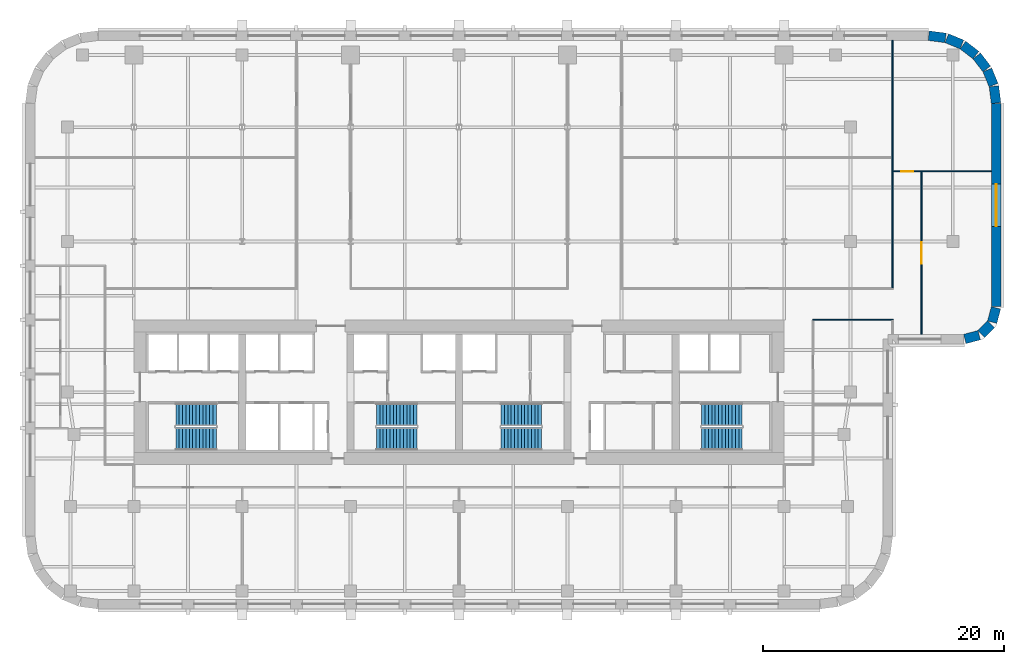
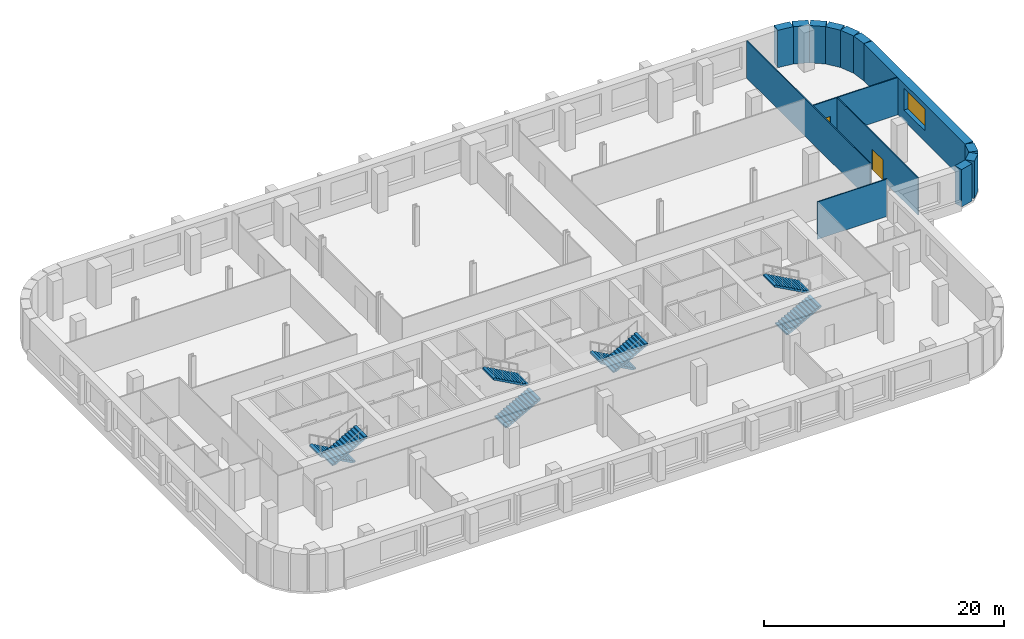
# One storey, part 7 of 9: 14 walls, 8 stair flights, 2 doors, 1 window, 3 openings, 4 elements without a shape of their own.
"""IFC4 building model written with IfcOpenShell, lengths in metres."""

import ifcopenshell
import ifcopenshell.guid

model = None  # the IFC model being written
_history = None  # IfcOwnerHistory: only IFC2X3 demands one
_inside = {}  # id of a spatial element -> (the spatial element, [elements in it])
_under = {}  # id of a project, library or spatial element -> (it, [spatial elements below it])
_declared = {}  # id of a project -> (the project, [libraries it declares])
_typed = {}  # id of a type object -> (the type object, [elements of that type])
_made_of = {}  # id of a material, layer set ... -> (it, [elements and type objects made of it])


def new_model(schema):
    """Start an empty IFC model of exactly this schema.

    Asked for "IFC4X3", IfcOpenShell would pick the latest addendum, in which some entities
    have other attributes; the version numbers below select the first issue.
    IFC2X3 requires an IfcOwnerHistory on every rooted entity: one is made here for all.
    """
    global model, _history
    if schema == "IFC4X3":
        model = ifcopenshell.file(schema_version=(4, 3, 0, 0))
    else:
        model = ifcopenshell.file(schema=schema)
    _inside.clear()
    _under.clear()
    _declared.clear()
    _typed.clear()
    _made_of.clear()
    _history = None
    if model.schema == "IFC2X3":
        org = make("IfcOrganization", Name="unknown")
        user = make(
            "IfcPersonAndOrganization",
            ThePerson=make("IfcPerson", FamilyName="unknown"),
            TheOrganization=org,
        )
        app = make(
            "IfcApplication",
            ApplicationDeveloper=org,
            Version="unknown",
            ApplicationFullName="unknown",
            ApplicationIdentifier="unknown",
        )
        _history = make(
            "IfcOwnerHistory",
            OwningUser=user,
            OwningApplication=app,
            ChangeAction="ADDED",
            CreationDate=0,
        )
    return model


def make(cls, **values):
    """One entity of the class cls with the attributes given. An attribute that is None is left unset."""
    return model.create_entity(
        cls, **{name: value for name, value in values.items() if value is not None}
    )


def rooted(cls, **values):
    """An entity with a GlobalId (a new one), such as an element, a storey or a relation."""
    return make(cls, GlobalId=ifcopenshell.guid.new(), OwnerHistory=_history, **values)


def si_unit(unit_type, name, prefix=None):
    """IfcSIUnit, for example si_unit("LENGTHUNIT", "METRE", prefix="MILLI")."""
    return make("IfcSIUnit", UnitType=unit_type, Prefix=prefix, Name=name)


def assignment(units):
    """IfcUnitAssignment: the units of a project."""
    return None if units is None else make("IfcUnitAssignment", Units=units)


def point(xyz):
    """IfcCartesianPoint."""
    return None if xyz is None else make("IfcCartesianPoint", Coordinates=xyz)


def direction(xyz):
    """IfcDirection."""
    return None if xyz is None else make("IfcDirection", DirectionRatios=xyz)


def frame(location, z_axis=None, x_axis=None):
    """IfcAxis2Placement3D, a coordinate frame: its origin and axes. An axis left out is left unset."""
    return make(
        "IfcAxis2Placement3D",
        Location=point(location),
        Axis=direction(z_axis),
        RefDirection=direction(x_axis),
    )


def frame_2d(location, x_axis=None):
    """IfcAxis2Placement2D, a coordinate frame in the plane: its origin and x axis."""
    return make(
        "IfcAxis2Placement2D", Location=point(location), RefDirection=direction(x_axis)
    )


def origin():
    """The frame at (0, 0, 0) with its axes left unset."""
    return frame((0.0, 0.0, 0.0))


def place(relative_to, where):
    """IfcLocalPlacement: puts the frame where relative to a parent placement (None: the world)."""
    return make(
        "IfcLocalPlacement", PlacementRelTo=relative_to, RelativePlacement=where
    )


def context(
    kind, dimensions, precision=None, world=None, true_north=None, identifier=None
):
    """IfcGeometricRepresentationContext, for example the 3D "Model" context."""
    return make(
        "IfcGeometricRepresentationContext",
        ContextIdentifier=identifier,
        ContextType=kind,
        CoordinateSpaceDimension=dimensions,
        Precision=precision,
        WorldCoordinateSystem=world,
        TrueNorth=true_north,
    )


def subcontext(parent, identifier, kind, view, scale=None):
    """IfcGeometricRepresentationSubContext, for example "Body" below "Model"."""
    return make(
        "IfcGeometricRepresentationSubContext",
        ContextIdentifier=identifier,
        ContextType=kind,
        ParentContext=parent,
        TargetScale=scale,
        TargetView=view,
    )


def project(units=None, contexts=None):
    """IfcProject with its units and contexts."""
    return rooted(
        "IfcProject",
        Name="project",
        RepresentationContexts=contexts,
        UnitsInContext=assignment(units),
    )


def spatial(cls, under=None, at=None, **own):
    """A site, building, storey or space (cls), placed at a placement, below another one or the project."""
    s = rooted(cls, ObjectPlacement=at, **own)
    if under is not None:
        _under.setdefault(under.id(), (under, []))[1].append(s)
    return s


def polyline(points):
    """IfcPolyline through the points."""
    return make("IfcPolyline", Points=[point(p) for p in points])


def profile(cls, at=None, kind="AREA", **sizes):
    """A parametric profile (cls). Its sizes go by their IFC names, for example OverallWidth=200.0."""
    return make(cls, ProfileType=kind, Position=at, **sizes)


def rectangle(**sizes):
    """IfcRectangleProfileDef."""
    return profile("IfcRectangleProfileDef", **sizes)


def outline(outer, holes=None, kind="AREA"):
    """IfcArbitraryClosedProfileDef: a profile drawn as a closed curve; with holes, ...WithVoids."""
    if holes is None:
        return make("IfcArbitraryClosedProfileDef", ProfileType=kind, OuterCurve=outer)
    return make(
        "IfcArbitraryProfileDefWithVoids",
        ProfileType=kind,
        OuterCurve=outer,
        InnerCurves=holes,
    )


def extrude(swept, where, along, depth):
    """IfcExtrudedAreaSolid: the profile swept, set in the frame where, extruded along a direction by depth."""
    return make(
        "IfcExtrudedAreaSolid",
        SweptArea=swept,
        Position=where,
        ExtrudedDirection=direction(along),
        Depth=depth,
    )


def shape(context_of_items, identifier, shape_type, items):
    """IfcShapeRepresentation: the items that make up one representation, for example the "Body"."""
    return make(
        "IfcShapeRepresentation",
        ContextOfItems=context_of_items,
        RepresentationIdentifier=identifier,
        RepresentationType=shape_type,
        Items=items,
    )


def material(Name=None, Category=None):
    """IfcMaterial."""
    return make("IfcMaterial", Name=Name, Category=Category)


def layer(
    of_material, thickness, ventilated=None, Name=None, Category=None, Priority=None
):
    """IfcMaterialLayer: one layer of a wall or slab, of a material (None: an air gap)."""
    return make(
        "IfcMaterialLayer",
        Material=of_material,
        LayerThickness=thickness,
        IsVentilated=ventilated,
        Name=Name,
        Category=Category,
        Priority=Priority,
    )


def layer_set(layers, Name=None):
    """IfcMaterialLayerSet."""
    return make("IfcMaterialLayerSet", MaterialLayers=layers, LayerSetName=Name)


def made_of(thing, what):
    """Note that an element or type object is made of a material, layer set ...; save() writes the relation."""
    if what is not None:
        _made_of.setdefault(what.id(), (what, []))[1].append(thing)
    return thing


def type_object(cls, material=None, **own):
    """A type object (cls), such as IfcWallType, which elements share."""
    return made_of(rooted(cls, **own), material)


def element(
    cls,
    number,
    at=None,
    inside=None,
    cuts=None,
    type_object=None,
    material=None,
    context=None,
    identifier="Body",
    shape_type=None,
    held_by="IfcProductDefinitionShape",
    body=None,
    shapes=None,
    **own,
):
    """One element of the class cls, such as IfcWall. Its Tag is "e" and its number.

    at: its placement. inside: the storey or other place that contains it. cuts: it is an
    opening in that element (IfcRelVoidsElement). A single representation is given by context,
    identifier, shape_type and body (its items); several are given by shapes. held_by: the class
    of the entity that holds the representations. save() writes the other relations.
    """
    e = rooted(cls, Tag="e%d" % number, ObjectPlacement=at, **own)
    if body is not None:
        shapes = [shape(context, identifier, shape_type, body)]
    if shapes is not None:
        e.Representation = make(held_by, Representations=shapes)
    if inside is not None:
        _inside.setdefault(inside.id(), (inside, []))[1].append(e)
    if cuts is not None:
        rooted(
            "IfcRelVoidsElement", RelatingBuildingElement=cuts, RelatedOpeningElement=e
        )
    if type_object is not None:
        _typed.setdefault(type_object.id(), (type_object, []))[1].append(e)
    return made_of(e, material)


def fill(opening, filler):
    """IfcRelFillsElement: the door or window that sits in an opening."""
    return rooted(
        "IfcRelFillsElement",
        RelatingOpeningElement=opening,
        RelatedBuildingElement=filler,
    )


def aggregate(whole, parts):
    """IfcRelAggregates: a whole, such as a stair, and the parts it consists of."""
    return rooted("IfcRelAggregates", RelatingObject=whole, RelatedObjects=parts)


def save(model, path):
    """Write the relations noted so far, then the file.

    IfcRelAggregates (storeys below a building ...), IfcRelContainedInSpatialStructure (elements
    in a storey), IfcRelDefinesByType, IfcRelAssociatesMaterial and IfcRelDeclares: one each for
    every whole, place, type object, material and project.
    """
    for whole, parts in _under.values():
        aggregate(whole, parts)
    for where, things in _inside.values():
        rooted(
            "IfcRelContainedInSpatialStructure",
            RelatedElements=things,
            RelatingStructure=where,
        )
    for kind, things in _typed.values():
        rooted("IfcRelDefinesByType", RelatedObjects=things, RelatingType=kind)
    for what, things in _made_of.values():
        rooted("IfcRelAssociatesMaterial", RelatedObjects=things, RelatingMaterial=what)
    for by, libraries in _declared.values():
        rooted("IfcRelDeclares", RelatingContext=by, RelatedDefinitions=libraries)
    model.write(path)


model = new_model("IFC4")

# Units and contexts
model_context = context("Model", 3, precision=1e-05, world=origin(), true_north=direction((0.0, 1.0)))
body_context = subcontext(model_context, "Body", "Model", "MODEL_VIEW")
ifc_project = project(units=[si_unit("LENGTHUNIT", "METRE"), si_unit("AREAUNIT", "SQUARE_METRE"), si_unit("VOLUMEUNIT", "CUBIC_METRE"), si_unit("PLANEANGLEUNIT", "RADIAN"), si_unit("MASSUNIT", "GRAM", prefix="KILO")], contexts=[model_context])

# Site, building, storey
site_placement = place(None, origin())
site = spatial("IfcSite", under=ifc_project, at=site_placement, CompositionType="ELEMENT")
building_placement = place(site_placement, origin())
building = spatial("IfcBuilding", under=site, at=building_placement, Name="Zellij Exchange Tower", CompositionType="ELEMENT")
storey_placement = place(building_placement, frame((0.0, 0.0, 112.5)))
storey = spatial("IfcBuildingStorey", under=building, at=storey_placement, Name="L24", CompositionType="ELEMENT", Elevation=112.5)

# Walls
ifc_material_1 = material(Name="Precast concrete C40/50", Category="concrete")
ifc_layer_1 = layer(ifc_material_1, 0.800048828125)
ifc_layer_set_1 = layer_set([ifc_layer_1], Name="Precast concrete C40/50")
wall_type_1 = type_object("IfcWallType", Name="ENV-EW1 Precast stone-piered wall 800", PredefinedType="SOLIDWALL", material=ifc_layer_set_1)
wall_1_placement = place(storey_placement, frame((41.998291015625, -3.58642578125, 0.0), z_axis=(0.0, 0.0, 1.0), x_axis=(0.965892366842, 0.258943885187, 0.0)))
element("IfcWall", 1, at=wall_1_placement, inside=storey, type_object=wall_type_1, Name="fac.L24.09", PredefinedType="SOLIDWALL", context=body_context, shape_type="SweptSolid", body=[
    extrude(rectangle(XDim=1.233154296875, YDim=0.800048828125, at=frame_2d((0.61669921875, 0.0))), origin(), (0.0, 0.0, 1.0), 3.800048828125),
])
wall_2_placement = place(storey_placement, frame((43.36865234375, -3.163818359375, 0.0), z_axis=(0.0, 0.0, 1.0), x_axis=(0.707106781187, 0.707106781187, 0.0)))
element("IfcWall", 2, at=wall_2_placement, inside=storey, type_object=wall_type_1, Name="fac.L24.10", PredefinedType="SOLIDWALL", context=body_context, shape_type="SweptSolid", body=[
    extrude(rectangle(XDim=1.12451171875, YDim=0.800048828125, at=frame_2d((0.562255859375, 0.0))), origin(), (0.0, 0.0, 1.0), 3.800048828125),
])
wall_3_placement = place(storey_placement, frame((44.26708984375, -2.189453125, 0.0), z_axis=(0.0, 0.0, 1.0), x_axis=(0.258943885187, 0.965892366842, 0.0)))
element("IfcWall", 3, at=wall_3_placement, inside=storey, type_object=wall_type_1, Name="fac.L24.11", PredefinedType="SOLIDWALL", context=body_context, shape_type="SweptSolid", body=[
    extrude(rectangle(XDim=1.233154296875, YDim=0.800048828125, at=frame_2d((0.61669921875, 0.0))), origin(), (0.0, 0.0, 1.0), 3.800048828125),
])

# Wall, opening, window
wall_4_placement = place(storey_placement, frame((44.60009765625, -0.89453125, 0.0), z_axis=(0.0, 0.0, 1.0), x_axis=(0.0, 1.0, 0.0)))
wall_4 = element("IfcWall", 4, at=wall_4_placement, inside=storey, type_object=wall_type_1, Name="fac.L24.12", PredefinedType="SOLIDWALL", context=body_context, shape_type="SweptSolid", body=[
    extrude(rectangle(XDim=16.842041015625, YDim=0.800048828125, at=frame_2d((8.4208984375, 0.0))), origin(), (0.0, 0.0, 1.0), 3.800048828125),
])
opening_1_placement = place(wall_4_placement, frame((6.657958984375, 0.0, 1.10009765625)))
opening_1 = element("IfcOpeningElement", 5, at=opening_1_placement, cuts=wall_4, Name="Opening FZ2.16", PredefinedType="OPENING", context=body_context, shape_type="SweptSolid", body=[
    extrude(rectangle(XDim=3.5, YDim=2.199951171875, at=frame_2d((1.75, 1.10009765625))), frame((0.0, 0.412109375, 0.0), z_axis=(0.0, -1.0, 0.0), x_axis=(1.0, 0.0, 0.0)), (0.0, 0.0, 1.0), 0.823974609375),
])
ifc_material_2 = material(Name="Aluminium frame with insulating glass", Category="aluminium")
window_type = type_object("IfcWindowType", Name="ENV-W7 Window 3500x2200", PartitioningType="SINGLE_PANEL", PredefinedType="WINDOW", material=ifc_material_2)
window_placement = place(opening_1_placement, origin())
window = element("IfcWindow", 6, at=window_placement, inside=storey, type_object=window_type, Name="Window FZ2.16", OverallHeight=2.199951171875, OverallWidth=3.5, PartitioningType="SINGLE_PANEL", PredefinedType="WINDOW", context=body_context, shape_type="SweptSolid", body=[
    extrude(rectangle(XDim=3.5, YDim=2.199951171875, at=frame_2d((1.75, 1.10009765625))), frame((0.0, 0.030029296875, 0.0), z_axis=(0.0, -1.0, 0.0), x_axis=(1.0, 0.0, 0.0)), (0.0, 0.0, 1.0), 0.06005859375),
])
fill(opening_1, window)

# Walls
wall_5_placement = place(storey_placement, frame((44.5966796875, 15.999755859375, 0.0), z_axis=(0.0, 0.0, 1.0), x_axis=(-0.130517283865, 0.99144603414, 0.0)))
element("IfcWall", 7, at=wall_5_placement, inside=storey, type_object=wall_type_1, Name="fac.L24.13", PredefinedType="SOLIDWALL", context=body_context, shape_type="SweptSolid", body=[
    extrude(rectangle(XDim=1.408447265625, YDim=0.800048828125, at=frame_2d((0.7041015625, 0.0))), origin(), (0.0, 0.0, 1.0), 3.800048828125),
])
wall_6_placement = place(storey_placement, frame((44.3857421875, 17.497314453125, 0.0), z_axis=(0.0, 0.0, 1.0), x_axis=(-0.38276009378, 0.923847774587, 0.0)))
element("IfcWall", 8, at=wall_6_placement, inside=storey, type_object=wall_type_1, Name="fac.L24.14", PredefinedType="SOLIDWALL", context=body_context, shape_type="SweptSolid", body=[
    extrude(rectangle(XDim=1.35546875, YDim=0.800048828125, at=frame_2d((0.677734375, 0.0))), origin(), (0.0, 0.0, 1.0), 3.800048828125),
])
for number, where, z_axis, x_axis, name in (
    (9, (43.814697265625, 18.840087890625, 0.0), (0.0, 0.0, 1.0), (-0.608866226366, 0.793272915452, 0.0), "fac.L24.15"),
    (10, (42.91552734375, 19.9892578125, 0.0), (0.0, 0.0, 1.0), (-0.793272915452, 0.608866226366, 0.0), "fac.L24.16"),
):
    element("IfcWall", number, at=place(storey_placement, frame(where, z_axis=z_axis, x_axis=x_axis)), inside=storey, type_object=wall_type_1, Name=name, PredefinedType="SOLIDWALL", context=body_context, shape_type="SweptSolid", body=[
        extrude(rectangle(XDim=1.355712890625, YDim=0.800048828125, at=frame_2d((0.677734375, 0.0))), origin(), (0.0, 0.0, 1.0), 3.800048828125),
    ])
wall_7_placement = place(storey_placement, frame((41.74951171875, 20.866943359375, 0.0), z_axis=(0.0, 0.0, 1.0), x_axis=(-0.923847774587, 0.38276009378, 0.0)))
element("IfcWall", 11, at=wall_7_placement, inside=storey, type_object=wall_type_1, Name="fac.L24.17", PredefinedType="SOLIDWALL", context=body_context, shape_type="SweptSolid", body=[
    extrude(rectangle(XDim=1.35546875, YDim=0.800048828125, at=frame_2d((0.677734375, 0.0))), origin(), (0.0, 0.0, 1.0), 3.800048828125),
])
wall_8_placement = place(storey_placement, frame((40.396240234375, 21.412841796875, 0.0), z_axis=(0.0, 0.0, 1.0), x_axis=(-0.99144603414, 0.130517283865, 0.0)))
element("IfcWall", 12, at=wall_8_placement, inside=storey, type_object=wall_type_1, Name="fac.L24.18", PredefinedType="SOLIDWALL", context=body_context, shape_type="SweptSolid", body=[
    extrude(rectangle(XDim=1.408447265625, YDim=0.800048828125, at=frame_2d((0.7041015625, 0.0))), origin(), (0.0, 0.0, 1.0), 3.800048828125),
])

# Wall, opening, door
ifc_material_3 = material(Name="Gypsum board partition on steel studs", Category="steel")
ifc_layer_2 = layer(ifc_material_3, 0.10009765625)
ifc_layer_set_2 = layer_set([ifc_layer_2], Name="Gypsum board partition on steel studs")
wall_type_2 = type_object("IfcWallType", Name="FIT-PARTITION-100", PredefinedType="PARTITIONING", material=ifc_layer_set_2)
wall_9_placement = place(storey_placement, frame((38.39990234375, -3.199951171875, 0.0), z_axis=(0.0, 0.0, 1.0), x_axis=(0.0, 1.0, 0.0)))
wall_9 = element("IfcWall", 13, at=wall_9_placement, inside=storey, type_object=wall_type_2, Name="FIT-PARTITION-100 020", PredefinedType="PARTITIONING", context=body_context, shape_type="SweptSolid", body=[
    extrude(rectangle(XDim=13.47998046875, YDim=0.10009765625, at=frame_2d((6.739990234375, 0.0))), origin(), (0.0, 0.0, 1.0), 3.800048828125),
])
opening_2_placement = place(wall_9_placement, frame((5.85009765625, 0.0, 0.0)))
opening_2 = element("IfcOpeningElement", 14, at=opening_2_placement, cuts=wall_9, Name="Opening TE.12", PredefinedType="OPENING", context=body_context, shape_type="SweptSolid", body=[
    extrude(rectangle(XDim=1.800048828125, YDim=2.10009765625, at=frame_2d((0.89990234375, 1.050048828125))), frame((0.0, 0.06201171875, 0.0), z_axis=(0.0, -1.0, 0.0), x_axis=(1.0, 0.0, 0.0)), (0.0, 0.0, 1.0), 0.1240234375),
])
ifc_material_4 = material(Name="Timber door set", Category="wood")
door_type_1 = type_object("IfcDoorType", Name="FIT-D3-DOUBLE-1800X2100", OperationType="DOUBLE_DOOR_SINGLE_SWING", PredefinedType="DOOR", material=ifc_material_4)
door_1_placement = place(opening_2_placement, origin())
door_1 = element("IfcDoor", 15, at=door_1_placement, inside=storey, type_object=door_type_1, Name="Door TE.12", OperationType="DOUBLE_DOOR_SINGLE_SWING", OverallHeight=2.10009765625, OverallWidth=1.800048828125, PredefinedType="DOOR", context=body_context, shape_type="SweptSolid", body=[
    extrude(rectangle(XDim=1.800048828125, YDim=2.10009765625, at=frame_2d((0.89990234375, 1.050048828125))), frame((0.0, 0.02490234375, 0.0), z_axis=(0.0, -1.0, 0.0), x_axis=(1.0, 0.0, 0.0)), (0.0, 0.0, 1.0), 0.050048828125),
])
fill(opening_2, door_1)

# Walls
wall_10_placement = place(storey_placement, frame((29.35009765625, -2.0, 0.0), z_axis=(0.0, 0.0, 1.0), x_axis=(1.0, 0.0, 0.0)))
element("IfcWall", 16, at=wall_10_placement, inside=storey, type_object=wall_type_2, Name="FIT-PARTITION-100 022", PredefinedType="PARTITIONING", context=body_context, shape_type="SweptSolid", body=[
    extrude(rectangle(XDim=6.699951171875, YDim=0.10009765625, at=frame_2d((3.35009765625, 0.0))), origin(), (0.0, 0.0, 1.0), 3.800048828125),
])
wall_11_placement = place(storey_placement, frame((36.0, 0.64990234375, 0.0), z_axis=(0.0, 0.0, 1.0), x_axis=(0.0, 1.0, 0.0)))
element("IfcWall", 17, at=wall_11_placement, inside=storey, type_object=wall_type_2, Name="FIT-PARTITION-100 036", PredefinedType="PARTITIONING", context=body_context, shape_type="SweptSolid", body=[
    extrude(rectangle(XDim=20.550048828125, YDim=0.10009765625, at=frame_2d((10.27490234375, 0.0))), origin(), (0.0, 0.0, 1.0), 3.800048828125),
])

# Wall, opening, door
wall_12_placement = place(storey_placement, frame((36.050048828125, 10.330078125, 0.0), z_axis=(0.0, 0.0, 1.0), x_axis=(1.0, 0.0, 0.0)))
wall_12 = element("IfcWall", 18, at=wall_12_placement, inside=storey, type_object=wall_type_2, Name="FIT-PARTITION-100 038", PredefinedType="PARTITIONING", context=body_context, shape_type="SweptSolid", body=[
    extrude(rectangle(XDim=8.14990234375, YDim=0.10009765625, at=frame_2d((4.074951171875, 0.0))), origin(), (0.0, 0.0, 1.0), 3.800048828125),
])
opening_3_placement = place(wall_12_placement, frame((0.64990234375, 0.0, 0.0)))
opening_3 = element("IfcOpeningElement", 19, at=opening_3_placement, cuts=wall_12, Name="Opening TE.14", PredefinedType="OPENING", context=body_context, shape_type="SweptSolid", body=[
    extrude(rectangle(XDim=1.0, YDim=2.10009765625, at=frame_2d((0.5, 1.050048828125))), frame((0.0, 0.06201171875, 0.0), z_axis=(0.0, -1.0, 0.0), x_axis=(1.0, 0.0, 0.0)), (0.0, 0.0, 1.0), 0.1240234375),
])
door_type_2 = type_object("IfcDoorType", Name="FIT-D2-WIDE-1000X2100", OperationType="SINGLE_SWING_LEFT", PredefinedType="DOOR", material=ifc_material_4)
door_2_placement = place(opening_3_placement, origin())
door_2 = element("IfcDoor", 20, at=door_2_placement, inside=storey, type_object=door_type_2, Name="Door TE.14", OperationType="SINGLE_SWING_LEFT", OverallHeight=2.10009765625, OverallWidth=1.0, PredefinedType="DOOR", context=body_context, shape_type="SweptSolid", body=[
    extrude(rectangle(XDim=1.0, YDim=2.10009765625, at=frame_2d((0.5, 1.050048828125))), frame((0.0, 0.02490234375, 0.0), z_axis=(0.0, -1.0, 0.0), x_axis=(1.0, 0.0, 0.0)), (0.0, 0.0, 1.0), 0.050048828125),
])
fill(opening_3, door_2)

# Stair, stair flights
ifc_material_5 = material(Name="Concrete C40/50", Category="concrete")
stair_type = type_object("IfcStairType", Name="CORE-ST exit stair 1850 wide", PredefinedType="HALF_TURN_STAIR", material=ifc_material_5)
stair_1_placement = place(storey_placement, origin())
stair_1 = element("IfcStair", 21, at=stair_1_placement, inside=storey, type_object=stair_type, Name="L24 exit stair ST1", PredefinedType="HALF_TURN_STAIR")
stair_flight_type = type_object("IfcStairFlightType", Name="CORE-SF flight 1850 riser 153.8 going 280", PredefinedType="STRAIGHT", material=ifc_material_5)
stair_flight_1_placement = place(storey_placement, frame((-20.14990234375, -9.875, 0.0), z_axis=(0.0, 0.0, 1.0), x_axis=(-1.0, 0.0, 0.0)))
stair_flight_1 = element("IfcStairFlight", 22, at=stair_flight_1_placement, type_object=stair_flight_type, Name="ST1 flight 1", NumberOfRisers=13, NumberOfTreads=12, PredefinedType="STRAIGHT", RiserHeight=0.153846154, TreadLength=0.28, context=body_context, shape_type="SweptSolid", body=[
    extrude(outline(polyline([(0.0, 0.0), (0.0, 0.15380859375), (0.280029296875, 0.15380859375), (0.280029296875, 0.3076171875), (0.56005859375, 0.3076171875), (0.56005859375, 0.46142578125), (0.840087890625, 0.46142578125), (0.840087890625, 0.615478515625), (1.1201171875, 0.615478515625), (1.1201171875, 0.769287109375), (1.39990234375, 0.769287109375), (1.39990234375, 0.923095703125), (1.679931640625, 0.923095703125), (1.679931640625, 1.076904296875), (1.9599609375, 1.076904296875), (1.9599609375, 1.230712890625), (2.239990234375, 1.230712890625), (2.239990234375, 1.384521484375), (2.52001953125, 1.384521484375), (2.52001953125, 1.53857421875), (2.800048828125, 1.53857421875), (2.800048828125, 1.6923828125), (3.080078125, 1.6923828125), (3.080078125, 1.84619140625), (3.360107421875, 1.84619140625), (3.360107421875, 2.0), (3.360107421875, 1.675048828125), (0.311279296875, 0.0), (0.0, 0.0)])), frame((0.0, 0.925048828125, 0.0), z_axis=(0.0, -1.0, 0.0), x_axis=(1.0, 0.0, 0.0)), (0.0, 0.0, 1.0), 1.85009765625),
])
stair_flight_2_placement = place(storey_placement, frame((-23.510009765625, -11.875, 2.0), z_axis=(0.0, 0.0, 1.0), x_axis=(1.0, 0.0, 0.0)))
stair_flight_2 = element("IfcStairFlight", 23, at=stair_flight_2_placement, type_object=stair_flight_type, Name="ST1 flight 2", NumberOfRisers=13, NumberOfTreads=12, PredefinedType="STRAIGHT", RiserHeight=0.153846154, TreadLength=0.28, context=body_context, shape_type="SweptSolid", body=[
    extrude(outline(polyline([(0.0, 0.0), (0.0, 0.15380859375), (0.280029296875, 0.15380859375), (0.280029296875, 0.3076171875), (0.56005859375, 0.3076171875), (0.56005859375, 0.46142578125), (0.840087890625, 0.46142578125), (0.840087890625, 0.615478515625), (1.1201171875, 0.615478515625), (1.1201171875, 0.769287109375), (1.39990234375, 0.769287109375), (1.39990234375, 0.923095703125), (1.679931640625, 0.923095703125), (1.679931640625, 1.076904296875), (1.9599609375, 1.076904296875), (1.9599609375, 1.230712890625), (2.239990234375, 1.230712890625), (2.239990234375, 1.384521484375), (2.52001953125, 1.384521484375), (2.52001953125, 1.53857421875), (2.800048828125, 1.53857421875), (2.800048828125, 1.6923828125), (3.080078125, 1.6923828125), (3.080078125, 1.84619140625), (3.360107421875, 1.84619140625), (3.360107421875, 2.0), (3.360107421875, 1.675048828125), (0.311279296875, 0.0), (0.0, 0.0)])), frame((0.0, 0.925048828125, 0.0), z_axis=(0.0, -1.0, 0.0), x_axis=(1.0, 0.0, 0.0)), (0.0, 0.0, 1.0), 1.85009765625),
])
aggregate(stair_1, [stair_flight_1, stair_flight_2])

stair_2_placement = place(storey_placement, origin())
stair_2 = element("IfcStair", 24, at=stair_2_placement, inside=storey, type_object=stair_type, Name="L24 exit stair ST2", PredefinedType="HALF_TURN_STAIR")
stair_flight_3_placement = place(storey_placement, frame((-6.85009765625, -11.875, 0.0), z_axis=(0.0, 0.0, 1.0), x_axis=(1.0, 0.0, 0.0)))
stair_flight_3 = element("IfcStairFlight", 25, at=stair_flight_3_placement, type_object=stair_flight_type, Name="ST2 flight 1", NumberOfRisers=13, NumberOfTreads=12, PredefinedType="STRAIGHT", RiserHeight=0.153846154, TreadLength=0.28, context=body_context, shape_type="SweptSolid", body=[
    extrude(outline(polyline([(0.0, 0.0), (0.0, 0.15380859375), (0.280029296875, 0.15380859375), (0.280029296875, 0.3076171875), (0.56005859375, 0.3076171875), (0.56005859375, 0.46142578125), (0.840087890625, 0.46142578125), (0.840087890625, 0.615478515625), (1.1201171875, 0.615478515625), (1.1201171875, 0.769287109375), (1.39990234375, 0.769287109375), (1.39990234375, 0.923095703125), (1.679931640625, 0.923095703125), (1.679931640625, 1.076904296875), (1.9599609375, 1.076904296875), (1.9599609375, 1.230712890625), (2.239990234375, 1.230712890625), (2.239990234375, 1.384521484375), (2.52001953125, 1.384521484375), (2.52001953125, 1.53857421875), (2.800048828125, 1.53857421875), (2.800048828125, 1.6923828125), (3.080078125, 1.6923828125), (3.080078125, 1.84619140625), (3.360107421875, 1.84619140625), (3.360107421875, 2.0), (3.360107421875, 1.675048828125), (0.311279296875, 0.0), (0.0, 0.0)])), frame((0.0, 0.925048828125, 0.0), z_axis=(0.0, -1.0, 0.0), x_axis=(1.0, 0.0, 0.0)), (0.0, 0.0, 1.0), 1.85009765625),
])
stair_flight_4_placement = place(storey_placement, frame((-3.489990234375, -9.875, 2.0), z_axis=(0.0, 0.0, 1.0), x_axis=(-1.0, 0.0, 0.0)))
stair_flight_4 = element("IfcStairFlight", 26, at=stair_flight_4_placement, type_object=stair_flight_type, Name="ST2 flight 2", NumberOfRisers=13, NumberOfTreads=12, PredefinedType="STRAIGHT", RiserHeight=0.153846154, TreadLength=0.28, context=body_context, shape_type="SweptSolid", body=[
    extrude(outline(polyline([(0.0, 0.0), (0.0, 0.15380859375), (0.280029296875, 0.15380859375), (0.280029296875, 0.3076171875), (0.56005859375, 0.3076171875), (0.56005859375, 0.46142578125), (0.840087890625, 0.46142578125), (0.840087890625, 0.615478515625), (1.1201171875, 0.615478515625), (1.1201171875, 0.769287109375), (1.39990234375, 0.769287109375), (1.39990234375, 0.923095703125), (1.679931640625, 0.923095703125), (1.679931640625, 1.076904296875), (1.9599609375, 1.076904296875), (1.9599609375, 1.230712890625), (2.239990234375, 1.230712890625), (2.239990234375, 1.384521484375), (2.52001953125, 1.384521484375), (2.52001953125, 1.53857421875), (2.800048828125, 1.53857421875), (2.800048828125, 1.6923828125), (3.080078125, 1.6923828125), (3.080078125, 1.84619140625), (3.360107421875, 1.84619140625), (3.360107421875, 2.0), (3.360107421875, 1.675048828125), (0.311279296875, 0.0), (0.0, 0.0)])), frame((0.0, 0.925048828125, 0.0), z_axis=(0.0, -1.0, 0.0), x_axis=(1.0, 0.0, 0.0)), (0.0, 0.0, 1.0), 1.85009765625),
])
aggregate(stair_2, [stair_flight_3, stair_flight_4])

stair_3_placement = place(storey_placement, origin())
stair_3 = element("IfcStair", 27, at=stair_3_placement, inside=storey, type_object=stair_type, Name="L24 exit stair ST3", PredefinedType="HALF_TURN_STAIR")
stair_flight_5_placement = place(storey_placement, frame((6.85009765625, -9.875, 0.0), z_axis=(0.0, 0.0, 1.0), x_axis=(-1.0, 0.0, 0.0)))
stair_flight_5 = element("IfcStairFlight", 28, at=stair_flight_5_placement, type_object=stair_flight_type, Name="ST3 flight 1", NumberOfRisers=13, NumberOfTreads=12, PredefinedType="STRAIGHT", RiserHeight=0.153846154, TreadLength=0.28, context=body_context, shape_type="SweptSolid", body=[
    extrude(outline(polyline([(0.0, 0.0), (0.0, 0.15380859375), (0.280029296875, 0.15380859375), (0.280029296875, 0.3076171875), (0.56005859375, 0.3076171875), (0.56005859375, 0.46142578125), (0.840087890625, 0.46142578125), (0.840087890625, 0.615478515625), (1.1201171875, 0.615478515625), (1.1201171875, 0.769287109375), (1.39990234375, 0.769287109375), (1.39990234375, 0.923095703125), (1.679931640625, 0.923095703125), (1.679931640625, 1.076904296875), (1.9599609375, 1.076904296875), (1.9599609375, 1.230712890625), (2.239990234375, 1.230712890625), (2.239990234375, 1.384521484375), (2.52001953125, 1.384521484375), (2.52001953125, 1.53857421875), (2.800048828125, 1.53857421875), (2.800048828125, 1.6923828125), (3.080078125, 1.6923828125), (3.080078125, 1.84619140625), (3.360107421875, 1.84619140625), (3.360107421875, 2.0), (3.360107421875, 1.675048828125), (0.311279296875, 0.0), (0.0, 0.0)])), frame((0.0, 0.925048828125, 0.0), z_axis=(0.0, -1.0, 0.0), x_axis=(1.0, 0.0, 0.0)), (0.0, 0.0, 1.0), 1.85009765625),
])
stair_flight_6_placement = place(storey_placement, frame((3.489990234375, -11.875, 2.0), z_axis=(0.0, 0.0, 1.0), x_axis=(1.0, 0.0, 0.0)))
stair_flight_6 = element("IfcStairFlight", 29, at=stair_flight_6_placement, type_object=stair_flight_type, Name="ST3 flight 2", NumberOfRisers=13, NumberOfTreads=12, PredefinedType="STRAIGHT", RiserHeight=0.153846154, TreadLength=0.28, context=body_context, shape_type="SweptSolid", body=[
    extrude(outline(polyline([(0.0, 0.0), (0.0, 0.15380859375), (0.280029296875, 0.15380859375), (0.280029296875, 0.3076171875), (0.56005859375, 0.3076171875), (0.56005859375, 0.46142578125), (0.840087890625, 0.46142578125), (0.840087890625, 0.615478515625), (1.1201171875, 0.615478515625), (1.1201171875, 0.769287109375), (1.39990234375, 0.769287109375), (1.39990234375, 0.923095703125), (1.679931640625, 0.923095703125), (1.679931640625, 1.076904296875), (1.9599609375, 1.076904296875), (1.9599609375, 1.230712890625), (2.239990234375, 1.230712890625), (2.239990234375, 1.384521484375), (2.52001953125, 1.384521484375), (2.52001953125, 1.53857421875), (2.800048828125, 1.53857421875), (2.800048828125, 1.6923828125), (3.080078125, 1.6923828125), (3.080078125, 1.84619140625), (3.360107421875, 1.84619140625), (3.360107421875, 2.0), (3.360107421875, 1.675048828125), (0.311279296875, 0.0), (0.0, 0.0)])), frame((0.0, 0.925048828125, 0.0), z_axis=(0.0, -1.0, 0.0), x_axis=(1.0, 0.0, 0.0)), (0.0, 0.0, 1.0), 1.85009765625),
])
aggregate(stair_3, [stair_flight_5, stair_flight_6])

stair_4_placement = place(storey_placement, origin())
stair_4 = element("IfcStair", 30, at=stair_4_placement, inside=storey, type_object=stair_type, Name="L24 exit stair ST4", PredefinedType="HALF_TURN_STAIR")
stair_flight_7_placement = place(storey_placement, frame((20.14990234375, -11.875, 0.0), z_axis=(0.0, 0.0, 1.0), x_axis=(1.0, 0.0, 0.0)))
stair_flight_7 = element("IfcStairFlight", 31, at=stair_flight_7_placement, type_object=stair_flight_type, Name="ST4 flight 1", NumberOfRisers=13, NumberOfTreads=12, PredefinedType="STRAIGHT", RiserHeight=0.153846154, TreadLength=0.28, context=body_context, shape_type="SweptSolid", body=[
    extrude(outline(polyline([(0.0, 0.0), (0.0, 0.15380859375), (0.280029296875, 0.15380859375), (0.280029296875, 0.3076171875), (0.56005859375, 0.3076171875), (0.56005859375, 0.46142578125), (0.840087890625, 0.46142578125), (0.840087890625, 0.615478515625), (1.1201171875, 0.615478515625), (1.1201171875, 0.769287109375), (1.39990234375, 0.769287109375), (1.39990234375, 0.923095703125), (1.679931640625, 0.923095703125), (1.679931640625, 1.076904296875), (1.9599609375, 1.076904296875), (1.9599609375, 1.230712890625), (2.239990234375, 1.230712890625), (2.239990234375, 1.384521484375), (2.52001953125, 1.384521484375), (2.52001953125, 1.53857421875), (2.800048828125, 1.53857421875), (2.800048828125, 1.6923828125), (3.080078125, 1.6923828125), (3.080078125, 1.84619140625), (3.360107421875, 1.84619140625), (3.360107421875, 2.0), (3.360107421875, 1.675048828125), (0.311279296875, 0.0), (0.0, 0.0)])), frame((0.0, 0.925048828125, 0.0), z_axis=(0.0, -1.0, 0.0), x_axis=(1.0, 0.0, 0.0)), (0.0, 0.0, 1.0), 1.85009765625),
])
stair_flight_8_placement = place(storey_placement, frame((23.510009765625, -9.875, 2.0), z_axis=(0.0, 0.0, 1.0), x_axis=(-1.0, 0.0, 0.0)))
stair_flight_8 = element("IfcStairFlight", 32, at=stair_flight_8_placement, type_object=stair_flight_type, Name="ST4 flight 2", NumberOfRisers=13, NumberOfTreads=12, PredefinedType="STRAIGHT", RiserHeight=0.153846154, TreadLength=0.28, context=body_context, shape_type="SweptSolid", body=[
    extrude(outline(polyline([(0.0, 0.0), (0.0, 0.15380859375), (0.280029296875, 0.15380859375), (0.280029296875, 0.3076171875), (0.56005859375, 0.3076171875), (0.56005859375, 0.46142578125), (0.840087890625, 0.46142578125), (0.840087890625, 0.615478515625), (1.1201171875, 0.615478515625), (1.1201171875, 0.769287109375), (1.39990234375, 0.769287109375), (1.39990234375, 0.923095703125), (1.679931640625, 0.923095703125), (1.679931640625, 1.076904296875), (1.9599609375, 1.076904296875), (1.9599609375, 1.230712890625), (2.239990234375, 1.230712890625), (2.239990234375, 1.384521484375), (2.52001953125, 1.384521484375), (2.52001953125, 1.53857421875), (2.800048828125, 1.53857421875), (2.800048828125, 1.6923828125), (3.080078125, 1.6923828125), (3.080078125, 1.84619140625), (3.360107421875, 1.84619140625), (3.360107421875, 2.0), (3.360107421875, 1.675048828125), (0.311279296875, 0.0), (0.0, 0.0)])), frame((0.0, 0.925048828125, 0.0), z_axis=(0.0, -1.0, 0.0), x_axis=(1.0, 0.0, 0.0)), (0.0, 0.0, 1.0), 1.85009765625),
])
aggregate(stair_4, [stair_flight_7, stair_flight_8])

save(model, "model.ifc")
